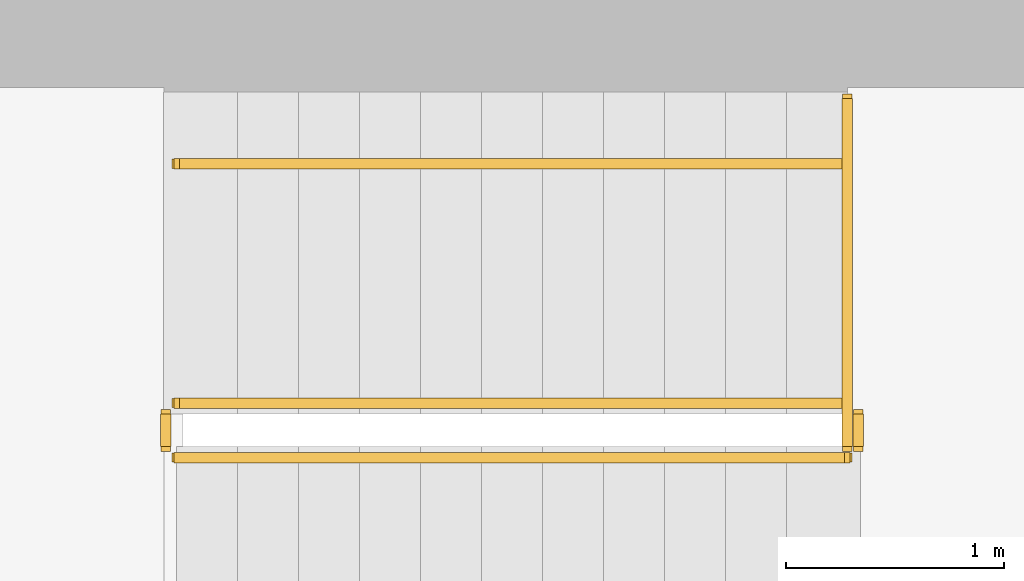
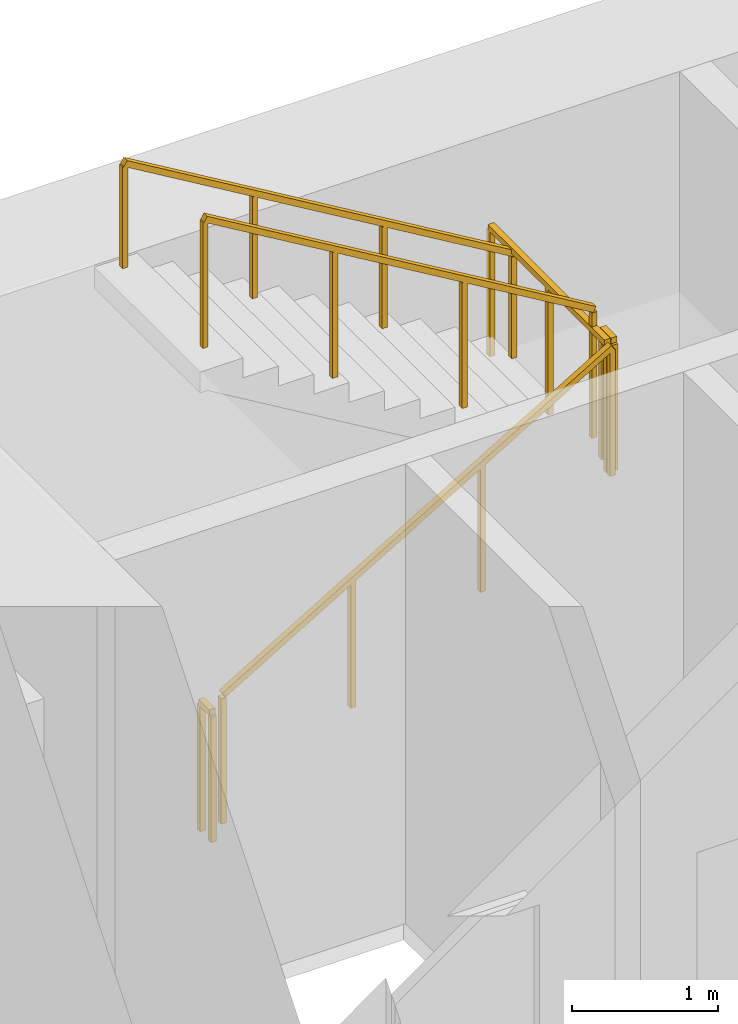
# One storey, part 15 of 16: 6 railings.
"""IFC4 building model written with IfcOpenShell, lengths in metres."""

from ifc_helpers import new_model, si_unit, direction, frame, origin, origin_2d, place, context, subcontext, project, spatial, rectangle, extrude, material, type_object, element, save


model = new_model("IFC4")

# Units and contexts
model_context = context("Model", 3, precision=1e-05, world=origin(), true_north=direction((0.0, 1.0)))
body_context = subcontext(model_context, "Body", "Model", "MODEL_VIEW")
ifc_project = project(units=[si_unit("LENGTHUNIT", "METRE"), si_unit("AREAUNIT", "SQUARE_METRE"), si_unit("VOLUMEUNIT", "CUBIC_METRE"), si_unit("PLANEANGLEUNIT", "RADIAN"), si_unit("MASSUNIT", "GRAM", prefix="KILO")], contexts=[model_context])

# Site, building, storey
site_placement = place(None, origin())
site = spatial("IfcSite", under=ifc_project, at=site_placement, CompositionType="ELEMENT")
building_placement = place(site_placement, origin())
building = spatial("IfcBuilding", under=site, at=building_placement, Name="Sennacour Bend Tower", CompositionType="ELEMENT")
storey_placement = place(building_placement, frame((0.0, 0.0, 175.0)))
storey = spatial("IfcBuildingStorey", under=building, at=storey_placement, Name="L40", CompositionType="ELEMENT", Elevation=175.0)

# Railings
ifc_material = material(Name="Stainless steel", Category="steel")
railing_type_1 = type_object("IfcRailingType", Name="RL-GUARD-1100", PredefinedType="GUARDRAIL", material=ifc_material)
railing_1_placement = place(storey_placement, frame((56.699951171875, 19.85009765625, 0.166748046875)))
element("IfcRailing", 1, at=railing_1_placement, inside=storey, type_object=railing_type_1, Name="L40 SA2 stair guard 1", PredefinedType="GUARDRAIL", context=body_context, shape_type="SweptSolid", body=[
    extrude(rectangle(XDim=0.048095703125, YDim=0.048095703125, at=origin_2d()), frame((0.0, 0.0, 1.076171875), z_axis=(0.859308565015, 0.0, 0.511457515432), x_axis=(0.0, 1.0, 0.0)), (0.0, 0.0, 1.0), 3.58447265625),
    extrude(rectangle(XDim=0.0419921875, YDim=0.0419921875, at=origin_2d()), origin(), (0.0, 0.0, 1.0), 1.052001953125),
    extrude(rectangle(XDim=0.0419921875, YDim=0.0419921875, at=origin_2d()), frame((1.026611328125, 0.0, 0.611083984375)), (0.0, 0.0, 1.0), 1.052001953125),
    extrude(rectangle(XDim=0.0419921875, YDim=0.0419921875, at=origin_2d()), frame((2.053466796875, 0.0, 1.22216796875)), (0.0, 0.0, 1.0), 1.052001953125),
    extrude(rectangle(XDim=0.0419921875, YDim=0.0419921875, at=origin_2d()), frame((3.080078125, 0.0, 1.833251953125)), (0.0, 0.0, 1.0), 1.052001953125),
])
railing_2_placement = place(storey_placement, frame((59.830078125, 19.89990234375, 2.0)))
element("IfcRailing", 2, at=railing_2_placement, inside=storey, type_object=railing_type_1, Name="L40 SA2 stair guard 2", PredefinedType="GUARDRAIL", context=body_context, shape_type="SweptSolid", body=[
    extrude(rectangle(XDim=0.048095703125, YDim=0.048095703125, at=origin_2d()), frame((0.0, 0.0, 1.076171875), z_axis=(0.0, 1.0, 0.0), x_axis=(-1.0, 0.0, 0.0)), (0.0, 0.0, 1.0), 0.150146484375),
    extrude(rectangle(XDim=0.0419921875, YDim=0.0419921875, at=origin_2d()), origin(), (0.0, 0.0, 1.0), 1.052001953125),
    extrude(rectangle(XDim=0.0419921875, YDim=0.0419921875, at=origin_2d()), frame((0.0, 0.150146484375, 0.0)), (0.0, 0.0, 1.0), 1.052001953125),
])
railing_3_placement = place(storey_placement, frame((59.780029296875, 20.10009765625, 2.166748046875)))
element("IfcRailing", 3, at=railing_3_placement, inside=storey, type_object=railing_type_1, Name="L40 SA2 stair guard 4", PredefinedType="GUARDRAIL", context=body_context, shape_type="SweptSolid", body=[
    extrude(rectangle(XDim=0.048095703125, YDim=0.048095703125, at=origin_2d()), frame((0.0, 0.0, 1.076171875), z_axis=(-0.859308565015, 0.0, 0.511457515432), x_axis=(0.0, -1.0, 0.0)), (0.0, 0.0, 1.0), 3.58447265625),
    extrude(rectangle(XDim=0.0419921875, YDim=0.0419921875, at=origin_2d()), origin(), (0.0, 0.0, 1.0), 1.052001953125),
    extrude(rectangle(XDim=0.0419921875, YDim=0.0419921875, at=origin_2d()), frame((-1.026611328125, 0.0, 0.611083984375)), (0.0, 0.0, 1.0), 1.052001953125),
    extrude(rectangle(XDim=0.0419921875, YDim=0.0419921875, at=origin_2d()), frame((-2.053466796875, 0.0, 1.22216796875)), (0.0, 0.0, 1.0), 1.052001953125),
    extrude(rectangle(XDim=0.0419921875, YDim=0.0419921875, at=origin_2d()), frame((-3.080078125, 0.0, 1.833251953125)), (0.0, 0.0, 1.0), 1.052001953125),
])
railing_4_placement = place(storey_placement, frame((56.64990234375, 19.89990234375, 0.0)))
element("IfcRailing", 4, at=railing_4_placement, inside=storey, type_object=railing_type_1, Name="L40 SA2 stair guard 5", PredefinedType="GUARDRAIL", context=body_context, shape_type="SweptSolid", body=[
    extrude(rectangle(XDim=0.048095703125, YDim=0.048095703125, at=origin_2d()), frame((0.0, 0.0, 1.076171875), z_axis=(0.0, 1.0, 0.0), x_axis=(-1.0, 0.0, 0.0)), (0.0, 0.0, 1.0), 0.150146484375),
    extrude(rectangle(XDim=0.0419921875, YDim=0.0419921875, at=origin_2d()), origin(), (0.0, 0.0, 1.0), 1.052001953125),
    extrude(rectangle(XDim=0.0419921875, YDim=0.0419921875, at=origin_2d()), frame((0.0, 0.150146484375, 0.0)), (0.0, 0.0, 1.0), 1.052001953125),
])
railing_5_placement = place(storey_placement, frame((59.780029296875, 19.89990234375, 2.0)))
element("IfcRailing", 5, at=railing_5_placement, inside=storey, type_object=railing_type_1, Name="L40 SA2 landing edge guard 55", PredefinedType="GUARDRAIL", context=body_context, shape_type="SweptSolid", body=[
    extrude(rectangle(XDim=0.048095703125, YDim=0.048095703125, at=origin_2d()), frame((0.0, 0.0, 1.076171875), z_axis=(0.0, 1.0, 0.0), x_axis=(-1.0, 0.0, 0.0)), (0.0, 0.0, 1.0), 1.60009765625),
    extrude(rectangle(XDim=0.0419921875, YDim=0.0419921875, at=origin_2d()), origin(), (0.0, 0.0, 1.0), 1.052001953125),
    extrude(rectangle(XDim=0.0419921875, YDim=0.0419921875, at=origin_2d()), frame((0.0, 0.800048828125, 0.0)), (0.0, 0.0, 1.0), 1.052001953125),
    extrude(rectangle(XDim=0.0419921875, YDim=0.0419921875, at=origin_2d()), frame((0.0, 1.60009765625, 0.0)), (0.0, 0.0, 1.0), 1.052001953125),
])
railing_type_2 = type_object("IfcRailingType", Name="RL-HANDRAIL-900", PredefinedType="HANDRAIL", material=ifc_material)
railing_6_placement = place(storey_placement, frame((59.780029296875, 21.199951171875, 2.166748046875)))
element("IfcRailing", 6, at=railing_6_placement, inside=storey, type_object=railing_type_2, Name="L40 SA2 stair handrail 2", PredefinedType="HANDRAIL", context=body_context, shape_type="SweptSolid", body=[
    extrude(rectangle(XDim=0.048095703125, YDim=0.048095703125, at=origin_2d()), frame((0.0, 0.0, 0.8759765625), z_axis=(-0.859308565015, 0.0, 0.511457515432), x_axis=(0.0, -1.0, 0.0)), (0.0, 0.0, 1.0), 3.58447265625),
    extrude(rectangle(XDim=0.0419921875, YDim=0.0419921875, at=origin_2d()), origin(), (0.0, 0.0, 1.0), 0.851806640625),
    extrude(rectangle(XDim=0.0419921875, YDim=0.0419921875, at=origin_2d()), frame((-1.026611328125, 0.0, 0.611083984375)), (0.0, 0.0, 1.0), 0.851806640625),
    extrude(rectangle(XDim=0.0419921875, YDim=0.0419921875, at=origin_2d()), frame((-2.053466796875, 0.0, 1.22216796875)), (0.0, 0.0, 1.0), 0.851806640625),
    extrude(rectangle(XDim=0.0419921875, YDim=0.0419921875, at=origin_2d()), frame((-3.080078125, 0.0, 1.833251953125)), (0.0, 0.0, 1.0), 0.851806640625),
])

save(model, "model.ifc")
